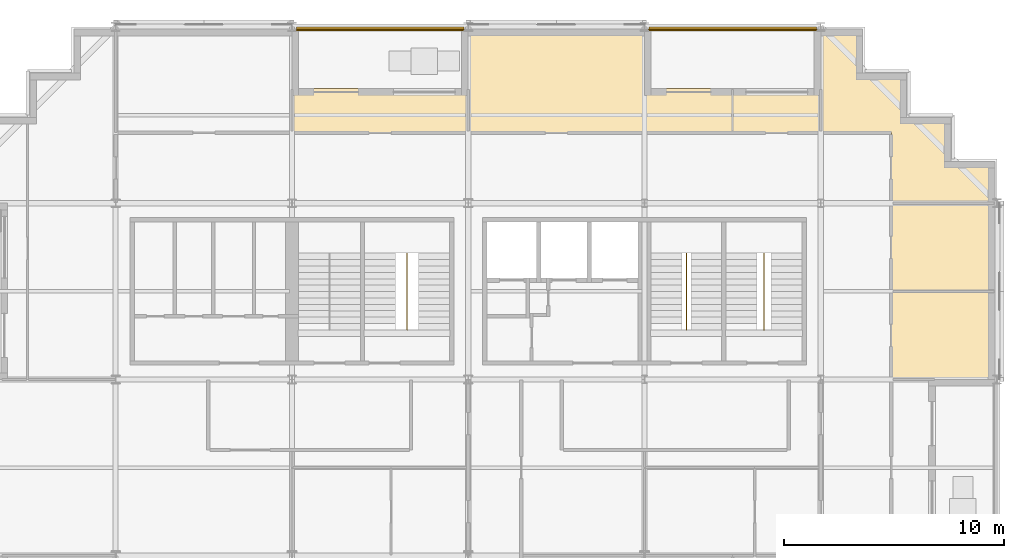
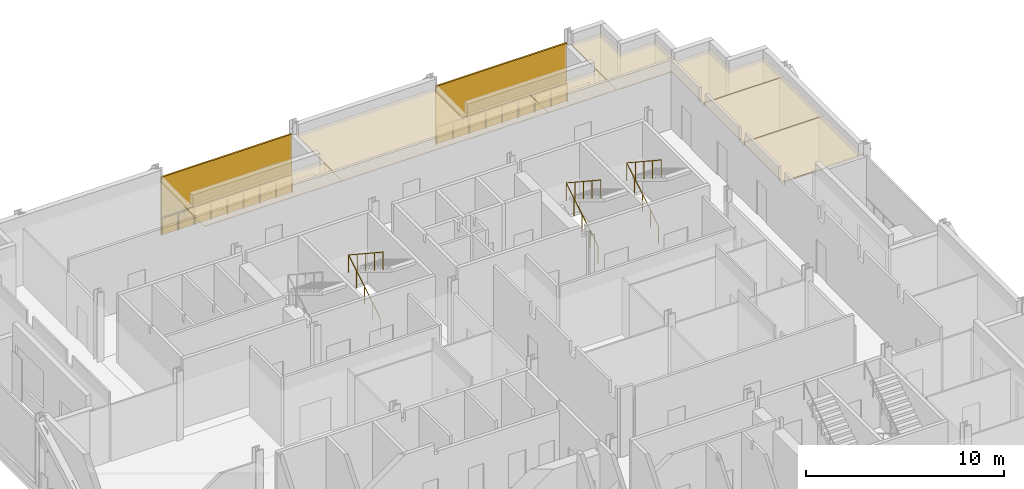
# One storey, part 14 of 15: 6 coverings, 5 railings, 2 shading devices.
"""IFC4 building model written with IfcOpenShell, lengths in metres."""

from ifc_helpers import new_model, si_unit, direction, frame, origin, origin_2d, place, context, subcontext, project, spatial, polyline, rectangle, circle, outline, extrude, material, layer, layer_set, type_object, element, save


model = new_model("IFC4")

# Units and contexts
model_context = context("Model", 3, precision=1e-05, world=origin(), true_north=direction((0.0, 1.0)))
body_context = subcontext(model_context, "Body", "Model", "MODEL_VIEW")
ifc_project = project(units=[si_unit("LENGTHUNIT", "METRE"), si_unit("AREAUNIT", "SQUARE_METRE"), si_unit("VOLUMEUNIT", "CUBIC_METRE"), si_unit("PLANEANGLEUNIT", "RADIAN"), si_unit("MASSUNIT", "GRAM", prefix="KILO")], contexts=[model_context])

# Site, building, storey
site_placement = place(None, origin())
site = spatial("IfcSite", under=ifc_project, at=site_placement, CompositionType="ELEMENT")
building_placement = place(site_placement, origin())
building = spatial("IfcBuilding", under=site, at=building_placement, Name="Immortelle Media Tower", CompositionType="ELEMENT")
storey_placement = place(building_placement, frame((0.0, 0.0, 92.0)))
storey = spatial("IfcBuildingStorey", under=building, at=storey_placement, Name="L17", CompositionType="ELEMENT", Elevation=92.0)

# Railings
ifc_material_1 = material(Name="Powder-coated aluminium fretwork panel, laminated glass backing", Category="aluminium")
railing_type_1 = type_object("IfcRailingType", Name="Fretwork balustrade 1100", PredefinedType="BALUSTRADE", material=ifc_material_1)
railing_1_placement = place(storey_placement, frame((39.8134765625, 47.860107421875, 0.0)))
element("IfcRailing", 1, at=railing_1_placement, inside=storey, type_object=railing_type_1, Name="Fretwork balustrade L17 N0", PredefinedType="BALUSTRADE", context=body_context, shape_type="SweptSolid", body=[
    extrude(circle(Radius=0.02490234375, at=origin_2d()), frame((0.0, 0.0, 1.0751953125), z_axis=(-1.0, 0.0, 0.0), x_axis=(0.0, -1.0, 0.0)), (0.0, 0.0, 1.0), 7.614013671875),
    extrude(circle(Radius=0.02001953125, at=origin_2d()), origin(), (0.0, 0.0, 1.0), 1.050048828125),
    extrude(circle(Radius=0.02001953125, at=origin_2d()), frame((-0.95166015625, 0.0, 0.0)), (0.0, 0.0, 1.0), 1.050048828125),
    extrude(circle(Radius=0.02001953125, at=origin_2d()), frame((-1.903564453125, 0.0, 0.0)), (0.0, 0.0, 1.0), 1.050048828125),
    extrude(circle(Radius=0.02001953125, at=origin_2d()), frame((-2.855224609375, 0.0, 0.0)), (0.0, 0.0, 1.0), 1.050048828125),
    extrude(circle(Radius=0.02001953125, at=origin_2d()), frame((-3.80712890625, 0.0, 0.0)), (0.0, 0.0, 1.0), 1.050048828125),
    extrude(circle(Radius=0.02001953125, at=origin_2d()), frame((-4.7587890625, 0.0, 0.0)), (0.0, 0.0, 1.0), 1.050048828125),
    extrude(circle(Radius=0.02001953125, at=origin_2d()), frame((-5.71044921875, 0.0, 0.0)), (0.0, 0.0, 1.0), 1.050048828125),
    extrude(circle(Radius=0.02001953125, at=origin_2d()), frame((-6.662353515625, 0.0, 0.0)), (0.0, 0.0, 1.0), 1.050048828125),
    extrude(circle(Radius=0.02001953125, at=origin_2d()), frame((-7.614013671875, 0.0, 0.0)), (0.0, 0.0, 1.0), 1.050048828125),
])
railing_2_placement = place(storey_placement, frame((23.800537109375, 47.860107421875, 0.0)))
element("IfcRailing", 2, at=railing_2_placement, inside=storey, type_object=railing_type_1, Name="Fretwork balustrade L17 N2", PredefinedType="BALUSTRADE", context=body_context, shape_type="SweptSolid", body=[
    extrude(circle(Radius=0.02490234375, at=origin_2d()), frame((0.0, 0.0, 1.0751953125), z_axis=(-1.0, 0.0, 0.0), x_axis=(0.0, -1.0, 0.0)), (0.0, 0.0, 1.0), 7.594970703125),
    extrude(circle(Radius=0.02001953125, at=origin_2d()), origin(), (0.0, 0.0, 1.0), 1.050048828125),
    extrude(circle(Radius=0.02001953125, at=origin_2d()), frame((-0.949462890625, 0.0, 0.0)), (0.0, 0.0, 1.0), 1.050048828125),
    extrude(circle(Radius=0.02001953125, at=origin_2d()), frame((-1.898681640625, 0.0, 0.0)), (0.0, 0.0, 1.0), 1.050048828125),
    extrude(circle(Radius=0.02001953125, at=origin_2d()), frame((-2.84814453125, 0.0, 0.0)), (0.0, 0.0, 1.0), 1.050048828125),
    extrude(circle(Radius=0.02001953125, at=origin_2d()), frame((-3.79736328125, 0.0, 0.0)), (0.0, 0.0, 1.0), 1.050048828125),
    extrude(circle(Radius=0.02001953125, at=origin_2d()), frame((-4.746826171875, 0.0, 0.0)), (0.0, 0.0, 1.0), 1.050048828125),
    extrude(circle(Radius=0.02001953125, at=origin_2d()), frame((-5.6962890625, 0.0, 0.0)), (0.0, 0.0, 1.0), 1.050048828125),
    extrude(circle(Radius=0.02001953125, at=origin_2d()), frame((-6.6455078125, 0.0, 0.0)), (0.0, 0.0, 1.0), 1.050048828125),
    extrude(circle(Radius=0.02001953125, at=origin_2d()), frame((-7.594970703125, 0.0, 0.0)), (0.0, 0.0, 1.0), 1.050048828125),
])

# Shading devices
ifc_material_2 = material(Name="Pale aluminium louvre blades", Category="aluminium")
ifc_layer_1 = layer(ifc_material_2, 0.10009765625)
ifc_layer_set_1 = layer_set([ifc_layer_1], Name="Pale aluminium louvre blades")
shading_device_type = type_object("IfcShadingDeviceType", Name="Jalousie screen 100", PredefinedType="JALOUSIE", material=ifc_layer_set_1)
shading_device_1_placement = place(storey_placement, frame((36.006591796875, 47.949951171875, 0.0), z_axis=(0.0, 0.0, 1.0), x_axis=(-1.0, 0.0, 0.0)))
element("IfcShadingDevice", 3, at=shading_device_1_placement, inside=storey, type_object=shading_device_type, Name="Jalousie screen L17 N0", PredefinedType="JALOUSIE", context=body_context, shape_type="SweptSolid", body=[
    extrude(rectangle(XDim=7.614013671875, YDim=0.10009765625, at=origin_2d()), origin(), (0.0, 0.0, 1.0), 3.556884765625),
])
shading_device_2_placement = place(storey_placement, frame((20.0029296875, 47.949951171875, 0.0), z_axis=(0.0, 0.0, 1.0), x_axis=(-1.0, 0.0, 0.0)))
element("IfcShadingDevice", 4, at=shading_device_2_placement, inside=storey, type_object=shading_device_type, Name="Jalousie screen L17 N2", PredefinedType="JALOUSIE", context=body_context, shape_type="SweptSolid", body=[
    extrude(rectangle(XDim=7.594970703125, YDim=0.10009765625, at=origin_2d()), origin(), (0.0, 0.0, 1.0), 3.556884765625),
])

# Railings
ifc_material_3 = material(Name="Stainless steel AISI 316", Category="steel")
railing_type_2 = type_object("IfcRailingType", Name="Stair guard 1100", PredefinedType="GUARDRAIL", material=ifc_material_3)
for number, where, name in (
    (5, (21.22509765625, 34.5400390625, 0.176025390625), "Stair guard NW2"),
    (6, (33.89990234375, 34.5400390625, 0.176025390625), "Stair guard NE1"),
    (7, (37.425048828125, 34.5400390625, 0.176025390625), "Stair guard NE2"),
):
    element("IfcRailing", number, at=place(storey_placement, frame(where)), inside=storey, type_object=railing_type_2, Name=name, PredefinedType="GUARDRAIL", context=body_context, shape_type="SweptSolid", body=[
        extrude(circle(Radius=0.02392578125, at=origin_2d()), frame((0.0, 0.0, 1.076171875), z_axis=(0.0, 0.854872504309, 0.518838126371), x_axis=(-1.0, 0.0, 0.0)), (0.0, 0.0, 1.0), 3.7314453125),
        extrude(circle(Radius=0.02392578125, at=origin_2d()), frame((0.0, 3.18994140625, 3.01220703125), z_axis=(0.0, -0.835595538677, 0.549345151743), x_axis=(1.0, 0.0, 0.0)), (0.0, 0.0, 1.0), 4.16455078125),
        extrude(circle(Radius=0.02099609375, at=origin_2d()), origin(), (0.0, 0.0, 1.0), 1.052001953125),
        extrude(circle(Radius=0.02099609375, at=origin_2d()), frame((0.0, 0.79736328125, 0.48388671875)), (0.0, 0.0, 1.0), 1.052001953125),
        extrude(circle(Radius=0.02099609375, at=origin_2d()), frame((0.0, 1.594970703125, 0.968017578125)), (0.0, 0.0, 1.0), 1.052001953125),
        extrude(circle(Radius=0.02099609375, at=origin_2d()), frame((0.0, 2.392578125, 1.4521484375)), (0.0, 0.0, 1.0), 1.052001953125),
        extrude(circle(Radius=0.02099609375, at=origin_2d()), frame((0.0, 3.18994140625, 1.93603515625)), (0.0, 0.0, 1.0), 1.052001953125),
        extrude(circle(Radius=0.02099609375, at=origin_2d()), frame((0.0, 2.31982421875, 2.508056640625)), (0.0, 0.0, 1.0), 1.052001953125),
        extrude(circle(Radius=0.02099609375, at=origin_2d()), frame((0.0, 1.449951171875, 3.080078125)), (0.0, 0.0, 1.0), 1.052001953125),
        extrude(circle(Radius=0.02099609375, at=origin_2d()), frame((0.0, 0.580078125, 3.65185546875)), (0.0, 0.0, 1.0), 1.052001953125),
        extrude(circle(Radius=0.02099609375, at=origin_2d()), frame((0.0, -0.2900390625, 4.223876953125)), (0.0, 0.0, 1.0), 1.052001953125),
    ])

# Coverings
ifc_material_4 = material(Name="Mineral fibre tile ceiling")
ifc_layer_2 = layer(ifc_material_4, 0.050048828125)
ifc_layer_set_2 = layer_set([ifc_layer_2], Name="Mineral fibre tile ceiling")
covering_type = type_object("IfcCoveringType", Name="Suspended ceiling 50", PredefinedType="CEILING", material=ifc_layer_set_2)
covering_1_placement = place(storey_placement, frame((0.0, 0.0, 3.419921875)))
element("IfcCovering", 8, at=covering_1_placement, inside=storey, type_object=covering_type, Name="Ceiling L17-022", PredefinedType="CEILING", context=body_context, shape_type="SweptSolid", body=[
    extrude(outline(polyline([(43.199951171875, 32.0), (43.199951171875, 36.0), (47.89990234375, 36.0), (47.89990234375, 32.0), (45.199951171875, 32.0), (43.199951171875, 32.0)])), origin(), (0.0, 0.0, 1.0), 0.050048828125),
])
covering_2_placement = place(storey_placement, frame((0.0, 0.0, 3.419921875)))
element("IfcCovering", 9, at=covering_2_placement, inside=storey, type_object=covering_type, Name="Ceiling L17-023", PredefinedType="CEILING", context=body_context, shape_type="SweptSolid", body=[
    extrude(outline(polyline([(43.199951171875, 40.0), (47.89990234375, 40.0), (47.89990234375, 36.0), (43.199951171875, 36.0), (43.199951171875, 40.0)])), origin(), (0.0, 0.0, 1.0), 0.050048828125),
])
covering_3_placement = place(storey_placement, frame((0.0, 0.0, 3.419921875)))
element("IfcCovering", 10, at=covering_3_placement, inside=storey, type_object=covering_type, Name="Ceiling L17-026", PredefinedType="CEILING", context=body_context, shape_type="SweptSolid", body=[
    extrude(outline(polyline([(45.89990234375, 41.89990234375), (47.89990234375, 41.89990234375), (47.89990234375, 40.0), (44.0, 40.0), (43.199951171875, 40.0), (43.199951171875, 43.199951171875), (40.0, 43.199951171875), (40.0, 45.199951171875), (40.0, 47.89990234375), (41.89990234375, 47.89990234375), (41.89990234375, 45.89990234375), (43.89990234375, 45.89990234375), (43.89990234375, 43.89990234375), (44.0, 43.89990234375), (45.89990234375, 43.89990234375), (45.89990234375, 41.89990234375)])), origin(), (0.0, 0.0, 1.0), 0.050048828125),
])
covering_4_placement = place(storey_placement, frame((0.0, 0.0, 3.419921875)))
element("IfcCovering", 11, at=covering_4_placement, inside=storey, type_object=covering_type, Name="Ceiling L17-028", PredefinedType="CEILING", context=body_context, shape_type="SweptSolid", body=[
    extrude(outline(polyline([(24.0, 43.199951171875), (16.0, 43.199951171875), (16.0, 45.199951171875), (24.0, 45.199951171875), (24.0, 43.199951171875)])), origin(), (0.0, 0.0, 1.0), 0.050048828125),
])
covering_5_placement = place(storey_placement, frame((0.0, 0.0, 3.419921875)))
element("IfcCovering", 12, at=covering_5_placement, inside=storey, type_object=covering_type, Name="Ceiling L17-029", PredefinedType="CEILING", context=body_context, shape_type="SweptSolid", body=[
    extrude(outline(polyline([(32.0, 43.199951171875), (24.0, 43.199951171875), (24.0, 45.199951171875), (24.0, 47.89990234375), (32.0, 47.89990234375), (32.0, 45.199951171875), (36.0, 45.199951171875), (36.0, 43.199951171875), (32.0, 43.199951171875)])), origin(), (0.0, 0.0, 1.0), 0.050048828125),
])
covering_6_placement = place(storey_placement, frame((0.0, 0.0, 3.419921875)))
element("IfcCovering", 13, at=covering_6_placement, inside=storey, type_object=covering_type, Name="Ceiling L17-030", PredefinedType="CEILING", context=body_context, shape_type="SweptSolid", body=[
    extrude(outline(polyline([(40.0, 43.199951171875), (36.0, 43.199951171875), (36.0, 45.199951171875), (40.0, 45.199951171875), (40.0, 43.199951171875)])), origin(), (0.0, 0.0, 1.0), 0.050048828125),
])

save(model, "model.ifc")
